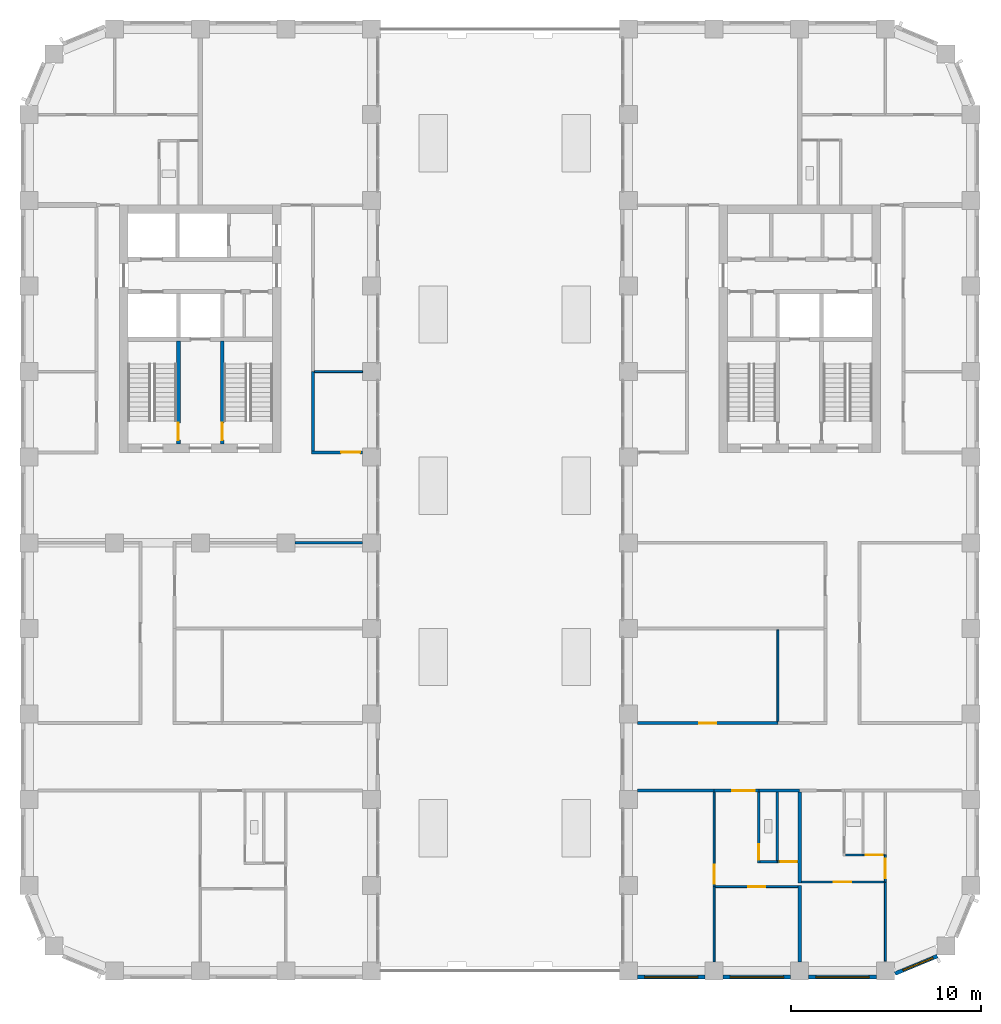
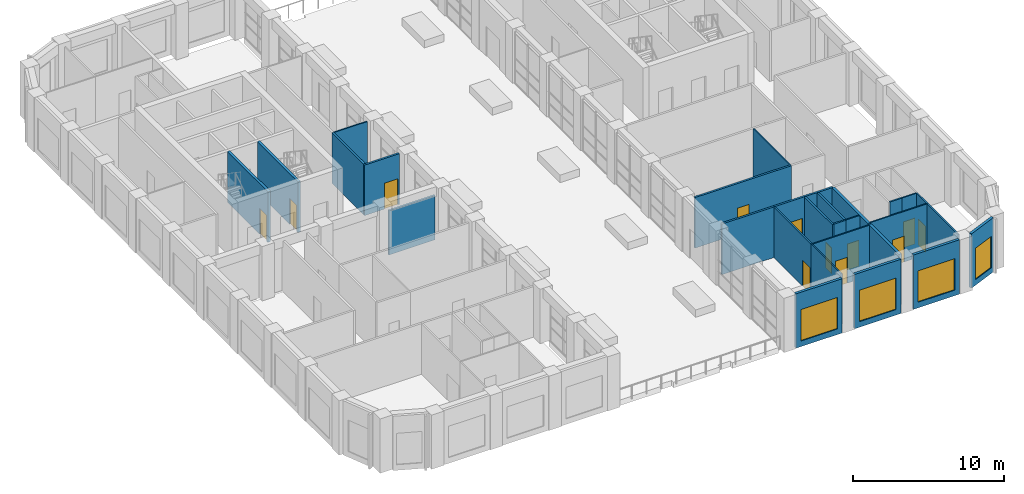
# One storey, part 11 of 20: 29 walls, 12 doors, 4 windows, 16 openings.
"""IFC4 building model written with IfcOpenShell, lengths in metres."""

from ifc_helpers import new_model, si_unit, direction, frame, frame_2d, origin, place, context, subcontext, project, spatial, rectangle, extrude, material, layer, layer_set, type_object, element, fill, save


model = new_model("IFC4")

# Units and contexts
model_context = context("Model", 3, precision=1e-05, world=origin(), true_north=direction((0.0, 1.0)))
body_context = subcontext(model_context, "Body", "Model", "MODEL_VIEW")
ifc_project = project(units=[si_unit("LENGTHUNIT", "METRE"), si_unit("AREAUNIT", "SQUARE_METRE"), si_unit("VOLUMEUNIT", "CUBIC_METRE"), si_unit("PLANEANGLEUNIT", "RADIAN"), si_unit("MASSUNIT", "GRAM", prefix="KILO")], contexts=[model_context])

# Site, building, storey
site_placement = place(None, origin())
site = spatial("IfcSite", under=ifc_project, at=site_placement, CompositionType="ELEMENT")
building_placement = place(site_placement, origin())
building = spatial("IfcBuilding", under=site, at=building_placement, Name="Girih Gate Residences", CompositionType="ELEMENT")
storey_placement = place(building_placement, frame((0.0, 0.0, 146.199951171875)))
storey = spatial("IfcBuildingStorey", under=building, at=storey_placement, Name="L41", CompositionType="ELEMENT", Elevation=146.199951171875)

# Wall
ifc_material_1 = material(Name="Gypsum board on steel studs", Category="steel")
ifc_layer_1 = layer(ifc_material_1, 0.14990234375)
ifc_layer_set_1 = layer_set([ifc_layer_1], Name="Compartment wall 150 mm")
wall_type_1 = type_object("IfcWallType", Name="Compartment wall 150 mm", PredefinedType="PARTITIONING", material=ifc_layer_set_1)
wall_1_placement = place(storey_placement, frame((38.35009765625, 9.47509765625, 0.0), z_axis=(0.0, 0.0, 1.0), x_axis=(1.0, 0.0, 0.0)))
element("IfcWall", 1, at=wall_1_placement, inside=storey, type_object=wall_type_1, Name="L41 partition", PredefinedType="PARTITIONING", context=body_context, shape_type="SweptSolid", body=[
    extrude(rectangle(XDim=2.14990234375, YDim=0.14990234375, at=frame_2d((1.074951171875, 0.0))), origin(), (0.0, 0.0, 1.0), 4.10009765625),
])

# Wall, opening, door
wall_2_placement = place(storey_placement, frame((38.35009765625, 9.47509765625, 0.0), z_axis=(0.0, 0.0, 1.0), x_axis=(-1.0, 0.0, 0.0)))
wall_2 = element("IfcWall", 2, at=wall_2_placement, inside=storey, type_object=wall_type_1, Name="L41 partition", PredefinedType="PARTITIONING", context=body_context, shape_type="SweptSolid", body=[
    extrude(rectangle(XDim=2.35009765625, YDim=0.14990234375, at=frame_2d((1.175048828125, 0.0))), origin(), (0.0, 0.0, 1.0), 4.10009765625),
])
opening_1_placement = place(wall_2_placement, frame((0.199951171875, 0.0, 0.0)))
opening_1 = element("IfcOpeningElement", 3, at=opening_1_placement, cuts=wall_2, Name="Opening A41-021", PredefinedType="OPENING", context=body_context, shape_type="SweptSolid", body=[
    extrude(rectangle(XDim=1.199951171875, YDim=2.39990234375, at=frame_2d((0.60009765625, 1.199951171875))), frame((0.0, 0.0849609375, 0.0), z_axis=(0.0, -1.0, 0.0), x_axis=(1.0, 0.0, 0.0)), (0.0, 0.0, 1.0), 0.169921875),
])
ifc_material_2 = material(Name="Timber, fire-rated core", Category="wood")
door_type_1 = type_object("IfcDoorType", Name="Villa entrance door 1200x2400 FD30S", OperationType="NOTDEFINED", PredefinedType="DOOR", material=ifc_material_2)
door_1_placement = place(opening_1_placement, origin())
door_1 = element("IfcDoor", 4, at=door_1_placement, inside=storey, type_object=door_type_1, Name="Door A41-021", OperationType="SINGLE_SWING_LEFT", OverallHeight=2.39990234375, OverallWidth=1.199951171875, PredefinedType="DOOR", context=body_context, shape_type="SweptSolid", body=[
    extrude(rectangle(XDim=1.199951171875, YDim=2.39990234375, at=frame_2d((0.60009765625, 1.199951171875))), frame((0.0, 0.02490234375, 0.0), z_axis=(0.0, -1.0, 0.0), x_axis=(1.0, 0.0, 0.0)), (0.0, 0.0, 1.0), 0.050048828125),
])
fill(opening_1, door_1)

# Walls
wall_3_placement = place(storey_placement, frame((31.97509765625, 9.47509765625, 0.0), z_axis=(0.0, 0.0, 1.0), x_axis=(1.0, 0.0, 0.0)))
element("IfcWall", 5, at=wall_3_placement, inside=storey, type_object=wall_type_1, Name="L41 partition", PredefinedType="PARTITIONING", context=body_context, shape_type="SweptSolid", body=[
    extrude(rectangle(XDim=4.02490234375, YDim=0.14990234375, at=frame_2d((2.012451171875, 0.0))), origin(), (0.0, 0.0, 1.0), 4.10009765625),
])
wall_4_placement = place(storey_placement, frame((13.97509765625, 22.5, 0.0), z_axis=(0.0, 0.0, 1.0), x_axis=(1.0, 0.0, 0.0)))
element("IfcWall", 6, at=wall_4_placement, inside=storey, type_object=wall_type_1, Name="L41 partition", PredefinedType="PARTITIONING", context=body_context, shape_type="SweptSolid", body=[
    extrude(rectangle(XDim=3.5498046875, YDim=0.14990234375, at=frame_2d((1.77490234375, 0.0))), origin(), (0.0, 0.0, 1.0), 3.580078125),
])

# Wall, opening, door
wall_5_placement = place(storey_placement, frame((31.97509765625, 13.02490234375, 0.0), z_axis=(0.0, 0.0, 1.0), x_axis=(1.0, 0.0, 0.0)))
wall_5 = element("IfcWall", 7, at=wall_5_placement, inside=storey, type_object=wall_type_1, Name="L41 partition", PredefinedType="PARTITIONING", context=body_context, shape_type="SweptSolid", body=[
    extrude(rectangle(XDim=7.375, YDim=0.14990234375, at=frame_2d((3.6875, 0.0))), origin(), (0.0, 0.0, 1.0), 4.10009765625),
])
opening_2_placement = place(wall_5_placement, frame((3.237548828125, 0.0, 0.0)))
opening_2 = element("IfcOpeningElement", 8, at=opening_2_placement, cuts=wall_5, Name="Opening A41-029", PredefinedType="OPENING", context=body_context, shape_type="SweptSolid", body=[
    extrude(rectangle(XDim=0.89990234375, YDim=2.10009765625, at=frame_2d((0.449951171875, 1.050048828125))), frame((0.0, 0.0849609375, 0.0), z_axis=(0.0, -1.0, 0.0), x_axis=(1.0, 0.0, 0.0)), (0.0, 0.0, 1.0), 0.169921875),
])
ifc_material_3 = material(Name="Timber", Category="wood")
door_type_2 = type_object("IfcDoorType", Name="Service room door 900x2100", OperationType="NOTDEFINED", PredefinedType="DOOR", material=ifc_material_3)
door_2_placement = place(opening_2_placement, origin())
door_2 = element("IfcDoor", 9, at=door_2_placement, inside=storey, type_object=door_type_2, Name="Door A41-029", OperationType="SINGLE_SWING_LEFT", OverallHeight=2.10009765625, OverallWidth=0.89990234375, PredefinedType="DOOR", context=body_context, shape_type="SweptSolid", body=[
    extrude(rectangle(XDim=0.89990234375, YDim=2.10009765625, at=frame_2d((0.449951171875, 1.050048828125))), frame((0.0, 0.02490234375, 0.0), z_axis=(0.0, -1.0, 0.0), x_axis=(1.0, 0.0, 0.0)), (0.0, 0.0, 1.0), 0.050048828125),
])
fill(opening_2, door_2)

# Wall
wall_6_placement = place(storey_placement, frame((14.925048828125, 27.324951171875, 0.0), z_axis=(0.0, 0.0, 1.0), x_axis=(0.0, 1.0, 0.0)))
element("IfcWall", 10, at=wall_6_placement, inside=storey, type_object=wall_type_1, Name="L41 partition", PredefinedType="PARTITIONING", context=body_context, shape_type="SweptSolid", body=[
    extrude(rectangle(XDim=4.175048828125, YDim=0.14990234375, at=frame_2d((2.08740234375, 0.0))), origin(), (0.0, 0.0, 1.0), 4.10009765625),
])

# Wall, opening, door
wall_7_placement = place(storey_placement, frame((14.85009765625, 27.25, 0.0), z_axis=(0.0, 0.0, 1.0), x_axis=(1.0, 0.0, 0.0)))
wall_7 = element("IfcWall", 11, at=wall_7_placement, inside=storey, type_object=wall_type_1, Name="L41 partition", PredefinedType="PARTITIONING", context=body_context, shape_type="SweptSolid", body=[
    extrude(rectangle(XDim=2.6748046875, YDim=0.14990234375, at=frame_2d((1.33740234375, 0.0))), origin(), (0.0, 0.0, 1.0), 4.10009765625),
])
opening_3_placement = place(wall_7_placement, frame((1.544921875, 0.0, 0.0)))
opening_3 = element("IfcOpeningElement", 12, at=opening_3_placement, cuts=wall_7, Name="Opening A41-039", PredefinedType="OPENING", context=body_context, shape_type="SweptSolid", body=[
    extrude(rectangle(XDim=1.0, YDim=2.10009765625, at=frame_2d((0.5, 1.050048828125))), frame((0.0, 0.0849609375, 0.0), z_axis=(0.0, -1.0, 0.0), x_axis=(1.0, 0.0, 0.0)), (0.0, 0.0, 1.0), 0.169921875),
])
door_type_3 = type_object("IfcDoorType", Name="Amenity room door 1000x2100 FD30S", OperationType="NOTDEFINED", PredefinedType="DOOR", material=ifc_material_2)
door_3_placement = place(opening_3_placement, origin())
door_3 = element("IfcDoor", 13, at=door_3_placement, inside=storey, type_object=door_type_3, Name="Door A41-039", OperationType="SINGLE_SWING_RIGHT", OverallHeight=2.10009765625, OverallWidth=1.0, PredefinedType="DOOR", context=body_context, shape_type="SweptSolid", body=[
    extrude(rectangle(XDim=1.0, YDim=2.10009765625, at=frame_2d((0.5, 1.050048828125))), frame((0.0, 0.02490234375, 0.0), z_axis=(0.0, -1.0, 0.0), x_axis=(1.0, 0.0, 0.0)), (0.0, 0.0, 1.0), 0.050048828125),
])
fill(opening_3, door_3)

ifc_layer_2 = layer(ifc_material_1, 0.10009765625)
ifc_layer_set_2 = layer_set([ifc_layer_2], Name="Partition 100 mm")
wall_type_2 = type_object("IfcWallType", Name="Partition 100 mm", PredefinedType="PARTITIONING", material=ifc_layer_set_2)
wall_8_placement = place(storey_placement, frame((44.949951171875, 4.675048828125, 0.0), z_axis=(0.0, 0.0, 1.0), x_axis=(-1.0, 0.0, 0.0)))
wall_8 = element("IfcWall", 14, at=wall_8_placement, inside=storey, type_object=wall_type_2, Name="L41 partition", PredefinedType="PARTITIONING", context=body_context, shape_type="SweptSolid", body=[
    extrude(rectangle(XDim=4.349853515625, YDim=0.10009765625, at=frame_2d((2.1748046875, 0.0))), origin(), (0.0, 0.0, 1.0), 4.10009765625),
])
opening_4_placement = place(wall_8_placement, frame((1.75, 0.0, 0.0)))
opening_4 = element("IfcOpeningElement", 15, at=opening_4_placement, cuts=wall_8, Name="Opening A41-013", PredefinedType="OPENING", context=body_context, shape_type="SweptSolid", body=[
    extrude(rectangle(XDim=0.89990234375, YDim=2.10009765625, at=frame_2d((0.449951171875, 1.050048828125))), frame((0.0, 0.06005859375, 0.0), z_axis=(0.0, -1.0, 0.0), x_axis=(1.0, 0.0, 0.0)), (0.0, 0.0, 1.0), 0.1201171875),
])
door_type_4 = type_object("IfcDoorType", Name="Bedroom door 900x2100", OperationType="NOTDEFINED", PredefinedType="DOOR", material=ifc_material_3)
door_4_placement = place(opening_4_placement, origin())
door_4 = element("IfcDoor", 16, at=door_4_placement, inside=storey, type_object=door_type_4, Name="Door A41-013", OperationType="SINGLE_SWING_RIGHT", OverallHeight=2.10009765625, OverallWidth=0.89990234375, PredefinedType="DOOR", context=body_context, shape_type="SweptSolid", body=[
    extrude(rectangle(XDim=0.89990234375, YDim=2.10009765625, at=frame_2d((0.449951171875, 1.050048828125))), frame((0.0, 0.02490234375, 0.0), z_axis=(0.0, -1.0, 0.0), x_axis=(1.0, 0.0, 0.0)), (0.0, 0.0, 1.0), 0.050048828125),
])
fill(opening_4, door_4)

# Wall
wall_9_placement = place(storey_placement, frame((45.0, 0.51416015625, 0.0), z_axis=(0.0, 0.0, 1.0), x_axis=(0.0, 1.0, 0.0)))
element("IfcWall", 17, at=wall_9_placement, inside=storey, type_object=wall_type_2, Name="L41 partition", PredefinedType="PARTITIONING", context=body_context, shape_type="SweptSolid", body=[
    extrude(rectangle(XDim=4.160888671875, YDim=0.10009765625, at=frame_2d((2.08056640625, 0.0))), origin(), (0.0, 0.0, 1.0), 4.10009765625),
])

# Wall, opening, door
wall_10_placement = place(storey_placement, frame((43.827392578125, 6.094970703125, 0.0), z_axis=(0.0, 0.0, 1.0), x_axis=(1.0, 0.0, 0.0)))
wall_10 = element("IfcWall", 18, at=wall_10_placement, inside=storey, type_object=wall_type_2, Name="L41 partition", PredefinedType="PARTITIONING", context=body_context, shape_type="SweptSolid", body=[
    extrude(rectangle(XDim=1.12255859375, YDim=0.10009765625, at=frame_2d((0.561279296875, 0.0))), origin(), (0.0, 0.0, 1.0), 4.10009765625),
])
opening_5_placement = place(wall_10_placement, frame((0.136474609375, 0.0, 0.0)))
opening_5 = element("IfcOpeningElement", 19, at=opening_5_placement, cuts=wall_10, Name="Opening A41-014", PredefinedType="OPENING", context=body_context, shape_type="SweptSolid", body=[
    extrude(rectangle(XDim=0.89990234375, YDim=2.10009765625, at=frame_2d((0.449951171875, 1.050048828125))), frame((0.0, 0.06005859375, 0.0), z_axis=(0.0, -1.0, 0.0), x_axis=(1.0, 0.0, 0.0)), (0.0, 0.0, 1.0), 0.1201171875),
])
door_type_5 = type_object("IfcDoorType", Name="Kitchen door 900x2100", OperationType="NOTDEFINED", PredefinedType="DOOR", material=ifc_material_3)
door_5_placement = place(opening_5_placement, origin())
door_5 = element("IfcDoor", 20, at=door_5_placement, inside=storey, type_object=door_type_5, Name="Door A41-014", OperationType="SINGLE_SWING_RIGHT", OverallHeight=2.10009765625, OverallWidth=0.89990234375, PredefinedType="DOOR", context=body_context, shape_type="SweptSolid", body=[
    extrude(rectangle(XDim=0.89990234375, YDim=2.10009765625, at=frame_2d((0.449951171875, 1.050048828125))), frame((0.0, 0.02490234375, 0.0), z_axis=(0.0, -1.0, 0.0), x_axis=(1.0, 0.0, 0.0)), (0.0, 0.0, 1.0), 0.050048828125),
])
fill(opening_5, door_5)

wall_11_placement = place(storey_placement, frame((45.0, 6.094970703125, 0.0), z_axis=(0.0, 0.0, 1.0), x_axis=(0.0, -1.0, 0.0)))
wall_11 = element("IfcWall", 21, at=wall_11_placement, inside=storey, type_object=wall_type_2, Name="L41 partition", PredefinedType="PARTITIONING", context=body_context, shape_type="SweptSolid", body=[
    extrude(rectangle(XDim=1.419921875, YDim=0.10009765625, at=frame_2d((0.7099609375, 0.0))), origin(), (0.0, 0.0, 1.0), 4.10009765625),
])
opening_6_placement = place(wall_11_placement, frame((0.2099609375, 0.0, 0.0)))
opening_6 = element("IfcOpeningElement", 22, at=opening_6_placement, cuts=wall_11, Name="Opening A41-015", PredefinedType="OPENING", context=body_context, shape_type="SweptSolid", body=[
    extrude(rectangle(XDim=1.0, YDim=2.10009765625, at=frame_2d((0.5, 1.050048828125))), frame((0.0, 0.06005859375, 0.0), z_axis=(0.0, -1.0, 0.0), x_axis=(1.0, 0.0, 0.0)), (0.0, 0.0, 1.0), 0.1201171875),
])
door_type_6 = type_object("IfcDoorType", Name="Living room door 1000x2100", OperationType="NOTDEFINED", PredefinedType="DOOR", material=ifc_material_3)
door_6_placement = place(opening_6_placement, origin())
door_6 = element("IfcDoor", 23, at=door_6_placement, inside=storey, type_object=door_type_6, Name="Door A41-015", OperationType="SINGLE_SWING_RIGHT", OverallHeight=2.10009765625, OverallWidth=1.0, PredefinedType="DOOR", context=body_context, shape_type="SweptSolid", body=[
    extrude(rectangle(XDim=1.0, YDim=2.10009765625, at=frame_2d((0.5, 1.050048828125))), frame((0.0, 0.02490234375, 0.0), z_axis=(0.0, -1.0, 0.0), x_axis=(1.0, 0.0, 0.0)), (0.0, 0.0, 1.0), 0.050048828125),
])
fill(opening_6, door_6)

wall_12_placement = place(storey_placement, frame((40.39990234375, 4.43505859375, 0.0), z_axis=(0.0, 0.0, 1.0), x_axis=(-1.0, 0.0, 0.0)))
wall_12 = element("IfcWall", 24, at=wall_12_placement, inside=storey, type_object=wall_type_2, Name="L41 partition", PredefinedType="PARTITIONING", context=body_context, shape_type="SweptSolid", body=[
    extrude(rectangle(XDim=4.349853515625, YDim=0.10009765625, at=frame_2d((2.1748046875, 0.0))), origin(), (0.0, 0.0, 1.0), 4.10009765625),
])
opening_7_placement = place(wall_12_placement, frame((1.699951171875, 0.0, 0.0)))
opening_7 = element("IfcOpeningElement", 25, at=opening_7_placement, cuts=wall_12, Name="Opening A41-018", PredefinedType="OPENING", context=body_context, shape_type="SweptSolid", body=[
    extrude(rectangle(XDim=0.89990234375, YDim=2.10009765625, at=frame_2d((0.449951171875, 1.050048828125))), frame((0.0, 0.06005859375, 0.0), z_axis=(0.0, -1.0, 0.0), x_axis=(1.0, 0.0, 0.0)), (0.0, 0.0, 1.0), 0.1201171875),
])
door_7_placement = place(opening_7_placement, origin())
door_7 = element("IfcDoor", 26, at=door_7_placement, inside=storey, type_object=door_type_4, Name="Door A41-018", OperationType="SINGLE_SWING_LEFT", OverallHeight=2.10009765625, OverallWidth=0.89990234375, PredefinedType="DOOR", context=body_context, shape_type="SweptSolid", body=[
    extrude(rectangle(XDim=0.89990234375, YDim=2.10009765625, at=frame_2d((0.449951171875, 1.050048828125))), frame((0.0, 0.02490234375, 0.0), z_axis=(0.0, -1.0, 0.0), x_axis=(1.0, 0.0, 0.0)), (0.0, 0.0, 1.0), 0.050048828125),
])
fill(opening_7, door_7)

# Wall
wall_13_placement = place(storey_placement, frame((36.0, 0.47509765625, 0.0), z_axis=(0.0, 0.0, 1.0), x_axis=(0.0, 1.0, 0.0)))
element("IfcWall", 27, at=wall_13_placement, inside=storey, type_object=wall_type_2, Name="L41 partition", PredefinedType="PARTITIONING", context=body_context, shape_type="SweptSolid", body=[
    extrude(rectangle(XDim=3.9599609375, YDim=0.10009765625, at=frame_2d((1.97998046875, 0.0))), origin(), (0.0, 0.0, 1.0), 4.10009765625),
])

# Wall, opening, door
wall_14_placement = place(storey_placement, frame((39.327392578125, 5.735107421875, 0.0), z_axis=(0.0, 0.0, 1.0), x_axis=(1.0, 0.0, 0.0)))
wall_14 = element("IfcWall", 28, at=wall_14_placement, inside=storey, type_object=wall_type_2, Name="L41 partition", PredefinedType="PARTITIONING", context=body_context, shape_type="SweptSolid", body=[
    extrude(rectangle(XDim=1.072509765625, YDim=0.10009765625, at=frame_2d((0.5361328125, 0.0))), origin(), (0.0, 0.0, 1.0), 4.10009765625),
])
opening_8_placement = place(wall_14_placement, frame((0.136474609375, 0.0, 0.0)))
opening_8 = element("IfcOpeningElement", 29, at=opening_8_placement, cuts=wall_14, Name="Opening A41-019", PredefinedType="OPENING", context=body_context, shape_type="SweptSolid", body=[
    extrude(rectangle(XDim=0.89990234375, YDim=2.10009765625, at=frame_2d((0.449951171875, 1.050048828125))), frame((0.0, 0.06005859375, 0.0), z_axis=(0.0, -1.0, 0.0), x_axis=(1.0, 0.0, 0.0)), (0.0, 0.0, 1.0), 0.1201171875),
])
door_8_placement = place(opening_8_placement, origin())
door_8 = element("IfcDoor", 30, at=door_8_placement, inside=storey, type_object=door_type_5, Name="Door A41-019", OperationType="SINGLE_SWING_RIGHT", OverallHeight=2.10009765625, OverallWidth=0.89990234375, PredefinedType="DOOR", context=body_context, shape_type="SweptSolid", body=[
    extrude(rectangle(XDim=0.89990234375, YDim=2.10009765625, at=frame_2d((0.449951171875, 1.050048828125))), frame((0.0, 0.02490234375, 0.0), z_axis=(0.0, -1.0, 0.0), x_axis=(1.0, 0.0, 0.0)), (0.0, 0.0, 1.0), 0.050048828125),
])
fill(opening_8, door_8)

wall_15_placement = place(storey_placement, frame((36.0, 4.43505859375, 0.0), z_axis=(0.0, 0.0, 1.0), x_axis=(0.0, 1.0, 0.0)))
wall_15 = element("IfcWall", 31, at=wall_15_placement, inside=storey, type_object=wall_type_2, Name="L41 partition", PredefinedType="PARTITIONING", context=body_context, shape_type="SweptSolid", body=[
    extrude(rectangle(XDim=4.96484375, YDim=0.10009765625, at=frame_2d((2.482421875, 0.0))), origin(), (0.0, 0.0, 1.0), 4.10009765625),
])
opening_9_placement = place(wall_15_placement, frame((0.14990234375, 0.0, 0.0)))
opening_9 = element("IfcOpeningElement", 32, at=opening_9_placement, cuts=wall_15, Name="Opening A41-020", PredefinedType="OPENING", context=body_context, shape_type="SweptSolid", body=[
    extrude(rectangle(XDim=1.0, YDim=2.10009765625, at=frame_2d((0.5, 1.050048828125))), frame((0.0, 0.06005859375, 0.0), z_axis=(0.0, -1.0, 0.0), x_axis=(1.0, 0.0, 0.0)), (0.0, 0.0, 1.0), 0.1201171875),
])
door_9_placement = place(opening_9_placement, origin())
door_9 = element("IfcDoor", 33, at=door_9_placement, inside=storey, type_object=door_type_6, Name="Door A41-020", OperationType="SINGLE_SWING_LEFT", OverallHeight=2.10009765625, OverallWidth=1.0, PredefinedType="DOOR", context=body_context, shape_type="SweptSolid", body=[
    extrude(rectangle(XDim=1.0, YDim=2.10009765625, at=frame_2d((0.5, 1.050048828125))), frame((0.0, 0.02490234375, 0.0), z_axis=(0.0, -1.0, 0.0), x_axis=(1.0, 0.0, 0.0)), (0.0, 0.0, 1.0), 0.050048828125),
])
fill(opening_9, door_9)

# Walls
wall_16_placement = place(storey_placement, frame((15.0, 31.5, 0.0), z_axis=(0.0, 0.0, 1.0), x_axis=(1.0, 0.0, 0.0)))
element("IfcWall", 34, at=wall_16_placement, inside=storey, type_object=wall_type_2, Name="L41 partition", PredefinedType="PARTITIONING", context=body_context, shape_type="SweptSolid", body=[
    extrude(rectangle(XDim=2.52490234375, YDim=0.10009765625, at=frame_2d((1.262451171875, 0.0))), origin(), (0.0, 0.0, 1.0), 4.10009765625),
])
wall_17_placement = place(storey_placement, frame((39.35009765625, 13.10009765625, 0.0), z_axis=(0.0, 0.0, 1.0), x_axis=(0.0, 1.0, 0.0)))
element("IfcWall", 35, at=wall_17_placement, inside=storey, type_object=wall_type_2, Name="L41 partition", PredefinedType="PARTITIONING", context=body_context, shape_type="SweptSolid", body=[
    extrude(rectangle(XDim=4.824951171875, YDim=0.10009765625, at=frame_2d((2.41259765625, 0.0))), origin(), (0.0, 0.0, 1.0), 4.10009765625),
])
ifc_layer_3 = layer(ifc_material_1, 0.199951171875)
ifc_layer_set_3 = layer_set([ifc_layer_3], Name="Party wall 200 mm")
wall_type_3 = type_object("IfcWallType", Name="Party wall 200 mm", PredefinedType="PARTITIONING", material=ifc_layer_set_3)
wall_18_placement = place(storey_placement, frame((40.5, 0.47509765625, 0.0), z_axis=(0.0, 0.0, 1.0), x_axis=(0.0, 1.0, 0.0)))
element("IfcWall", 36, at=wall_18_placement, inside=storey, type_object=wall_type_3, Name="L41 partition", PredefinedType="PARTITIONING", context=body_context, shape_type="SweptSolid", body=[
    extrude(rectangle(XDim=4.010009765625, YDim=0.199951171875, at=frame_2d((2.0048828125, 0.0))), origin(), (0.0, 0.0, 1.0), 4.10009765625),
])
wall_19_placement = place(storey_placement, frame((40.5, 4.625, 0.0), z_axis=(0.0, 0.0, 1.0), x_axis=(0.0, 1.0, 0.0)))
element("IfcWall", 37, at=wall_19_placement, inside=storey, type_object=wall_type_3, Name="L41 partition", PredefinedType="PARTITIONING", context=body_context, shape_type="SweptSolid", body=[
    extrude(rectangle(XDim=4.77490234375, YDim=0.199951171875, at=frame_2d((2.387451171875, 0.0))), origin(), (0.0, 0.0, 1.0), 4.10009765625),
])

# Wall, opening, window
ifc_material_4 = material(Name="Precast concrete C50/60", Category="concrete")
ifc_layer_4 = layer(ifc_material_4, 0.06005859375, Name="Outer leaf")
ifc_material_5 = material(Name="Rigid PIR insulation")
ifc_layer_5 = layer(ifc_material_5, 0.090087890625, Name="Insulation")
ifc_material_6 = material(Name="Precast concrete C40/50", Category="concrete")
ifc_layer_6 = layer(ifc_material_6, 0.050048828125, Name="Inner leaf")
ifc_layer_set_4 = layer_set([ifc_layer_4, ifc_layer_5, ifc_layer_6], Name="Precast concrete C50/60 external wall 200")
wall_type_4 = type_object("IfcWallType", Name="Precast concrete C50/60 external wall 200", PredefinedType="SOLIDWALL", material=ifc_layer_set_4)
wall_20_placement = place(storey_placement, frame((35.52490234375, -0.324951171875, 0.0), z_axis=(0.0, 0.0, 1.0), x_axis=(-1.0, 0.0, 0.0)))
wall_20 = element("IfcWall", 38, at=wall_20_placement, inside=storey, type_object=wall_type_4, Name="External wall S0315_0000.0", PredefinedType="SOLIDWALL", context=body_context, shape_type="SweptSolid", body=[
    extrude(rectangle(XDim=3.5498046875, YDim=0.199951171875, at=frame_2d((1.77490234375, 0.0))), origin(), (0.0, 0.0, 1.0), 4.400146484375),
])
opening_10_placement = place(wall_20_placement, frame((0.375, 0.0, 0.449951171875)))
opening_10 = element("IfcOpeningElement", 39, at=opening_10_placement, cuts=wall_20, Name="Opening W-6A", PredefinedType="OPENING", context=body_context, shape_type="SweptSolid", body=[
    extrude(rectangle(XDim=2.800048828125, YDim=2.550048828125, at=frame_2d((1.39990234375, 1.27490234375))), frame((0.0, 0.10986328125, 0.0), z_axis=(0.0, -1.0, 0.0), x_axis=(1.0, 0.0, 0.0)), (0.0, 0.0, 1.0), 0.219970703125),
])
ifc_material_7 = material(Name="Double glazing in aluminium frame", Category="aluminium")
window_type_1 = type_object("IfcWindowType", Name="Window W-6A 2800x2550", PartitioningType="SINGLE_PANEL", PredefinedType="WINDOW", material=ifc_material_7)
window_1_placement = place(opening_10_placement, origin())
window_1 = element("IfcWindow", 40, at=window_1_placement, inside=storey, type_object=window_type_1, Name="Window W-6A S0315_0000.0", OverallHeight=2.550048828125, OverallWidth=2.800048828125, PartitioningType="SINGLE_PANEL", PredefinedType="WINDOW", context=body_context, shape_type="SweptSolid", body=[
    extrude(rectangle(XDim=2.800048828125, YDim=2.550048828125, at=frame_2d((1.39990234375, 1.27490234375))), frame((0.0, 0.030029296875, 0.0), z_axis=(0.0, -1.0, 0.0), x_axis=(1.0, 0.0, 0.0)), (0.0, 0.0, 1.0), 0.06005859375),
])
fill(opening_10, window_1)

wall_21_placement = place(storey_placement, frame((40.02490234375, -0.324951171875, 0.0), z_axis=(0.0, 0.0, 1.0), x_axis=(-1.0, 0.0, 0.0)))
wall_21 = element("IfcWall", 41, at=wall_21_placement, inside=storey, type_object=wall_type_4, Name="External wall S0315_0000.1", PredefinedType="SOLIDWALL", context=body_context, shape_type="SweptSolid", body=[
    extrude(rectangle(XDim=3.5498046875, YDim=0.199951171875, at=frame_2d((1.77490234375, 0.0))), origin(), (0.0, 0.0, 1.0), 4.400146484375),
])
opening_11_placement = place(wall_21_placement, frame((0.375, 0.0, 0.449951171875)))
opening_11 = element("IfcOpeningElement", 42, at=opening_11_placement, cuts=wall_21, Name="Opening W-6A", PredefinedType="OPENING", context=body_context, shape_type="SweptSolid", body=[
    extrude(rectangle(XDim=2.800048828125, YDim=2.550048828125, at=frame_2d((1.39990234375, 1.27490234375))), frame((0.0, 0.10986328125, 0.0), z_axis=(0.0, -1.0, 0.0), x_axis=(1.0, 0.0, 0.0)), (0.0, 0.0, 1.0), 0.219970703125),
])
window_2_placement = place(opening_11_placement, origin())
window_2 = element("IfcWindow", 43, at=window_2_placement, inside=storey, type_object=window_type_1, Name="Window W-6A S0315_0000.1", OverallHeight=2.550048828125, OverallWidth=2.800048828125, PartitioningType="SINGLE_PANEL", PredefinedType="WINDOW", context=body_context, shape_type="SweptSolid", body=[
    extrude(rectangle(XDim=2.800048828125, YDim=2.550048828125, at=frame_2d((1.39990234375, 1.27490234375))), frame((0.0, 0.030029296875, 0.0), z_axis=(0.0, -1.0, 0.0), x_axis=(1.0, 0.0, 0.0)), (0.0, 0.0, 1.0), 0.06005859375),
])
fill(opening_11, window_2)

wall_22_placement = place(storey_placement, frame((44.52490234375, -0.324951171875, 0.0), z_axis=(0.0, 0.0, 1.0), x_axis=(-1.0, 0.0, 0.0)))
wall_22 = element("IfcWall", 44, at=wall_22_placement, inside=storey, type_object=wall_type_4, Name="External wall S0315_0000.2", PredefinedType="SOLIDWALL", context=body_context, shape_type="SweptSolid", body=[
    extrude(rectangle(XDim=3.5498046875, YDim=0.199951171875, at=frame_2d((1.77490234375, 0.0))), origin(), (0.0, 0.0, 1.0), 4.400146484375),
])
opening_12_placement = place(wall_22_placement, frame((0.375, 0.0, 0.449951171875)))
opening_12 = element("IfcOpeningElement", 45, at=opening_12_placement, cuts=wall_22, Name="Opening W-6A", PredefinedType="OPENING", context=body_context, shape_type="SweptSolid", body=[
    extrude(rectangle(XDim=2.800048828125, YDim=2.550048828125, at=frame_2d((1.39990234375, 1.27490234375))), frame((0.0, 0.10986328125, 0.0), z_axis=(0.0, -1.0, 0.0), x_axis=(1.0, 0.0, 0.0)), (0.0, 0.0, 1.0), 0.219970703125),
])
window_3_placement = place(opening_12_placement, origin())
window_3 = element("IfcWindow", 46, at=window_3_placement, inside=storey, type_object=window_type_1, Name="Window W-6A S0315_0000.2", OverallHeight=2.550048828125, OverallWidth=2.800048828125, PartitioningType="SINGLE_PANEL", PredefinedType="WINDOW", context=body_context, shape_type="SweptSolid", body=[
    extrude(rectangle(XDim=2.800048828125, YDim=2.550048828125, at=frame_2d((1.39990234375, 1.27490234375))), frame((0.0, 0.030029296875, 0.0), z_axis=(0.0, -1.0, 0.0), x_axis=(1.0, 0.0, 0.0)), (0.0, 0.0, 1.0), 0.06005859375),
])
fill(opening_12, window_3)

wall_23_placement = place(storey_placement, frame((47.73291015625, 0.7802734375, 0.0), z_axis=(0.0, 0.0, 1.0), x_axis=(-0.923880599843, -0.382680855588, 0.0)))
wall_23 = element("IfcWall", 47, at=wall_23_placement, inside=storey, type_object=wall_type_4, Name="External wall SE0450_0000.0", PredefinedType="SOLIDWALL", context=body_context, shape_type="SweptSolid", body=[
    extrude(rectangle(XDim=2.402587890625, YDim=0.199951171875, at=frame_2d((1.201171875, 0.0))), origin(), (0.0, 0.0, 1.0), 4.400146484375),
])
opening_13_placement = place(wall_23_placement, frame((0.25146484375, 0.0, 0.449951171875)))
opening_13 = element("IfcOpeningElement", 48, at=opening_13_placement, cuts=wall_23, Name="Opening W-2F", PredefinedType="OPENING", context=body_context, shape_type="SweptSolid", body=[
    extrude(rectangle(XDim=1.699951171875, YDim=2.550048828125, at=frame_2d((0.85009765625, 1.27490234375))), frame((0.0, 0.10986328125, 0.0), z_axis=(0.0, -1.0, 0.0), x_axis=(1.0, 0.0, 0.0)), (0.0, 0.0, 1.0), 0.219970703125),
])
window_type_2 = type_object("IfcWindowType", Name="Window W-2F 1700x2550", PartitioningType="SINGLE_PANEL", PredefinedType="WINDOW", material=ifc_material_7)
window_4_placement = place(opening_13_placement, origin())
window_4 = element("IfcWindow", 49, at=window_4_placement, inside=storey, type_object=window_type_2, Name="Window W-2F SE0450_0000.0", OverallHeight=2.550048828125, OverallWidth=1.699951171875, PartitioningType="SINGLE_PANEL", PredefinedType="WINDOW", context=body_context, shape_type="SweptSolid", body=[
    extrude(rectangle(XDim=1.699951171875, YDim=2.550048828125, at=frame_2d((0.85009765625, 1.27490234375))), frame((0.0, 0.030029296875, 0.0), z_axis=(0.0, -1.0, 0.0), x_axis=(1.0, 0.0, 0.0)), (0.0, 0.0, 1.0), 0.06005859375),
])
fill(opening_13, window_4)

# Wall, opening, door
ifc_material_8 = material(Name="Concrete C40/50", Category="concrete")
ifc_layer_7 = layer(ifc_material_8, 0.199951171875)
ifc_layer_set_5 = layer_set([ifc_layer_7], Name="Shaft wall 200")
wall_type_5 = type_object("IfcWallType", Name="Shaft wall 200", PredefinedType="SOLIDWALL", material=ifc_layer_set_5)
wall_24_placement = place(storey_placement, frame((7.85009765625, 27.699951171875, 0.0), z_axis=(0.0, 0.0, 1.0), x_axis=(0.0, 1.0, 0.0)))
wall_24 = element("IfcWall", 50, at=wall_24_placement, inside=storey, type_object=wall_type_5, Name="L41 W core wall V1a", PredefinedType="SOLIDWALL", context=body_context, shape_type="SweptSolid", body=[
    extrude(rectangle(XDim=5.400146484375, YDim=0.199951171875, at=frame_2d((2.7001953125, 0.0))), origin(), (0.0, 0.0, 1.0), 4.10009765625),
])
opening_14_placement = place(wall_24_placement, frame((0.199951171875, 0.0, 0.0)))
opening_14 = element("IfcOpeningElement", 51, at=opening_14_placement, cuts=wall_24, Name="Opening D-L41-W-001", PredefinedType="OPENING", context=body_context, shape_type="SweptSolid", body=[
    extrude(rectangle(XDim=0.89990234375, YDim=2.10009765625, at=frame_2d((0.449951171875, 1.050048828125))), frame((0.0, 0.10986328125, 0.0), z_axis=(0.0, -1.0, 0.0), x_axis=(1.0, 0.0, 0.0)), (0.0, 0.0, 1.0), 0.219970703125),
])
ifc_material_9 = material(Name="Painted steel, fire-resisting", Category="steel")
door_type_7 = type_object("IfcDoorType", Name="Fire door 900x2100", OperationType="SINGLE_SWING_LEFT", PredefinedType="DOOR", material=ifc_material_9)
door_10_placement = place(opening_14_placement, origin())
door_10 = element("IfcDoor", 52, at=door_10_placement, inside=storey, type_object=door_type_7, Name="L41 W door stair 1 to firefighting lobby", OperationType="SINGLE_SWING_LEFT", OverallHeight=2.10009765625, OverallWidth=0.89990234375, PredefinedType="DOOR", context=body_context, shape_type="SweptSolid", body=[
    extrude(rectangle(XDim=0.89990234375, YDim=2.10009765625, at=frame_2d((0.449951171875, 1.050048828125))), frame((0.0, 0.02490234375, 0.0), z_axis=(0.0, -1.0, 0.0), x_axis=(1.0, 0.0, 0.0)), (0.0, 0.0, 1.0), 0.050048828125),
])
fill(opening_14, door_10)

wall_25_placement = place(storey_placement, frame((10.14990234375, 27.699951171875, 0.0), z_axis=(0.0, 0.0, 1.0), x_axis=(0.0, 1.0, 0.0)))
wall_25 = element("IfcWall", 53, at=wall_25_placement, inside=storey, type_object=wall_type_5, Name="L41 W core wall V2a", PredefinedType="SOLIDWALL", context=body_context, shape_type="SweptSolid", body=[
    extrude(rectangle(XDim=5.400146484375, YDim=0.199951171875, at=frame_2d((2.7001953125, 0.0))), origin(), (0.0, 0.0, 1.0), 4.10009765625),
])
opening_15_placement = place(wall_25_placement, frame((0.199951171875, 0.0, 0.0)))
opening_15 = element("IfcOpeningElement", 54, at=opening_15_placement, cuts=wall_25, Name="Opening D-L41-W-002", PredefinedType="OPENING", context=body_context, shape_type="SweptSolid", body=[
    extrude(rectangle(XDim=0.89990234375, YDim=2.10009765625, at=frame_2d((0.449951171875, 1.050048828125))), frame((0.0, 0.10986328125, 0.0), z_axis=(0.0, -1.0, 0.0), x_axis=(1.0, 0.0, 0.0)), (0.0, 0.0, 1.0), 0.219970703125),
])
door_11_placement = place(opening_15_placement, origin())
door_11 = element("IfcDoor", 55, at=door_11_placement, inside=storey, type_object=door_type_7, Name="L41 W door stair 2 to firefighting lobby", OperationType="SINGLE_SWING_LEFT", OverallHeight=2.10009765625, OverallWidth=0.89990234375, PredefinedType="DOOR", context=body_context, shape_type="SweptSolid", body=[
    extrude(rectangle(XDim=0.89990234375, YDim=2.10009765625, at=frame_2d((0.449951171875, 1.050048828125))), frame((0.0, 0.02490234375, 0.0), z_axis=(0.0, -1.0, 0.0), x_axis=(1.0, 0.0, 0.0)), (0.0, 0.0, 1.0), 0.050048828125),
])
fill(opening_15, door_11)

# Walls
ifc_layer_8 = layer(ifc_material_1, 0.125)
ifc_layer_set_6 = layer_set([ifc_layer_8], Name="Wet room wall 125 mm")
wall_type_6 = type_object("IfcWallType", Name="Wet room wall 125 mm", PredefinedType="PARTITIONING", material=ifc_layer_set_6)
for number, where, z_axis, x_axis, name in (
    (56, (42.91259765625, 6.094970703125, 0.0), (0.0, 0.0, 1.0), (1.0, 0.0, 0.0), "L41 partition"),
    (57, (38.41259765625, 5.735107421875, 0.0), (0.0, 0.0, 1.0), (1.0, 0.0, 0.0), "L41 partition"),
):
    element("IfcWall", number, at=place(storey_placement, frame(where, z_axis=z_axis, x_axis=x_axis)), inside=storey, type_object=wall_type_6, Name=name, PredefinedType="PARTITIONING", context=body_context, shape_type="SweptSolid", body=[
        extrude(rectangle(XDim=0.914794921875, YDim=0.125, at=frame_2d((0.45751953125, 0.0))), origin(), (0.0, 0.0, 1.0), 4.10009765625),
    ])

# Wall, opening, door
wall_26_placement = place(storey_placement, frame((38.35009765625, 9.39990234375, 0.0), z_axis=(0.0, 0.0, 1.0), x_axis=(0.0, -1.0, 0.0)))
wall_26 = element("IfcWall", 58, at=wall_26_placement, inside=storey, type_object=wall_type_6, Name="L41 partition", PredefinedType="PARTITIONING", context=body_context, shape_type="SweptSolid", body=[
    extrude(rectangle(XDim=3.727294921875, YDim=0.125, at=frame_2d((1.86376953125, 0.0))), origin(), (0.0, 0.0, 1.0), 4.10009765625),
])
opening_16_placement = place(wall_26_placement, frame((2.7451171875, 0.0, 0.0)))
opening_16 = element("IfcOpeningElement", 59, at=opening_16_placement, cuts=wall_26, Name="Opening A41-017", PredefinedType="OPENING", context=body_context, shape_type="SweptSolid", body=[
    extrude(rectangle(XDim=0.800048828125, YDim=2.10009765625, at=frame_2d((0.39990234375, 1.050048828125))), frame((0.0, 0.072509765625, 0.0), z_axis=(0.0, -1.0, 0.0), x_axis=(1.0, 0.0, 0.0)), (0.0, 0.0, 1.0), 0.14501953125),
])
door_type_8 = type_object("IfcDoorType", Name="Bathroom door 800x2100", OperationType="NOTDEFINED", PredefinedType="DOOR", material=ifc_material_3)
door_12_placement = place(opening_16_placement, origin())
door_12 = element("IfcDoor", 60, at=door_12_placement, inside=storey, type_object=door_type_8, Name="Door A41-017", OperationType="SINGLE_SWING_RIGHT", OverallHeight=2.10009765625, OverallWidth=0.800048828125, PredefinedType="DOOR", context=body_context, shape_type="SweptSolid", body=[
    extrude(rectangle(XDim=0.800048828125, YDim=2.10009765625, at=frame_2d((0.39990234375, 1.050048828125))), frame((0.0, 0.02490234375, 0.0), z_axis=(0.0, -1.0, 0.0), x_axis=(1.0, 0.0, 0.0)), (0.0, 0.0, 1.0), 0.050048828125),
])
fill(opening_16, door_12)

# Wall
wall_27_placement = place(storey_placement, frame((39.326904296875, 5.797607421875, 0.0), z_axis=(0.0, 0.0, 1.0), x_axis=(0.0, 1.0, 0.0)))
element("IfcWall", 61, at=wall_27_placement, inside=storey, type_object=wall_type_6, Name="L41 partition", PredefinedType="PARTITIONING", context=body_context, shape_type="SweptSolid", body=[
    extrude(rectangle(XDim=3.602294921875, YDim=0.125, at=frame_2d((1.80126953125, 0.0))), origin(), (0.0, 0.0, 1.0), 4.10009765625),
])

save(model, "model.ifc")
